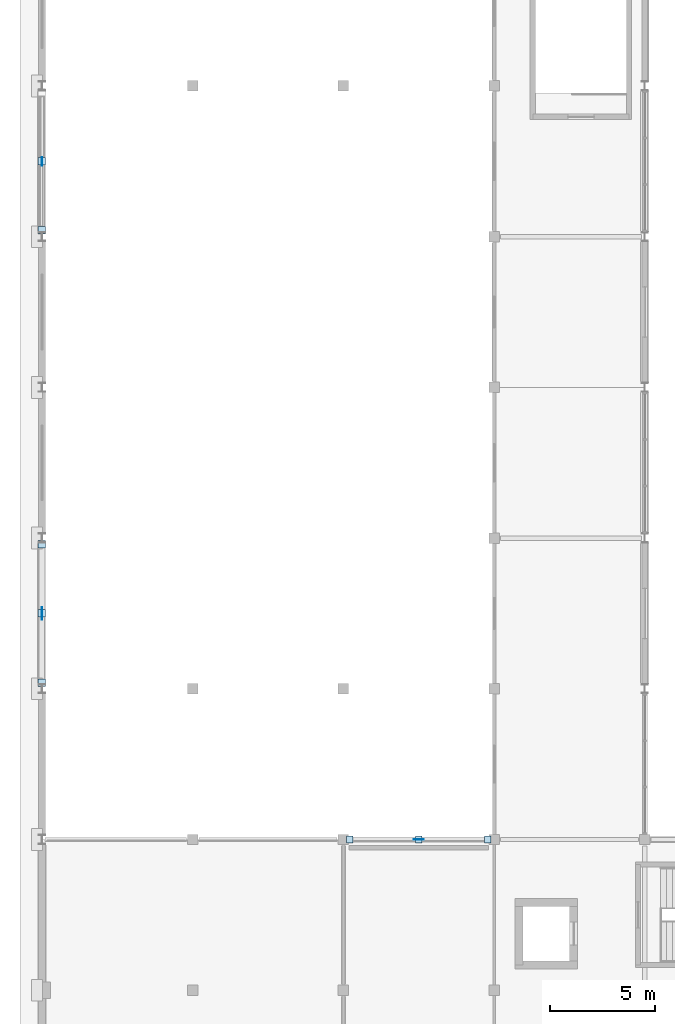
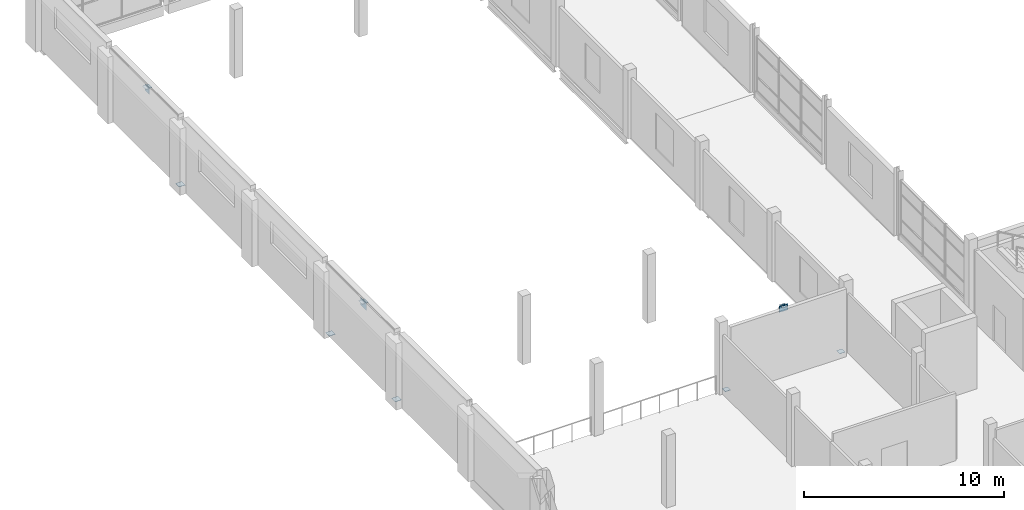
# One storey, part 37 of 71: 11 plates.
"""IFC4 building model written with IfcOpenShell, lengths in metres."""

from ifc_helpers import new_model, si_unit, direction, frame, origin, origin_2d, place, context, subcontext, project, spatial, rectangle, extrude, material, layer, layer_set, type_object, element, save


model = new_model("IFC4")

# Units and contexts
model_context = context("Model", 3, precision=1e-05, world=origin(), true_north=direction((0.0, 1.0)))
body_context = subcontext(model_context, "Body", "Model", "MODEL_VIEW")
ifc_project = project(units=[si_unit("LENGTHUNIT", "METRE"), si_unit("AREAUNIT", "SQUARE_METRE"), si_unit("VOLUMEUNIT", "CUBIC_METRE"), si_unit("PLANEANGLEUNIT", "RADIAN"), si_unit("MASSUNIT", "GRAM", prefix="KILO")], contexts=[model_context])

# Site, building, storey
site_placement = place(None, origin())
site = spatial("IfcSite", under=ifc_project, at=site_placement, CompositionType="ELEMENT")
building_placement = place(site_placement, origin())
building = spatial("IfcBuilding", under=site, at=building_placement, Name="Sardonyx Promenade Sports Hall", CompositionType="ELEMENT")
storey_placement = place(building_placement, frame((0.0, 0.0, 16.0)))
storey = spatial("IfcBuildingStorey", under=building, at=storey_placement, Name="L03", CompositionType="ELEMENT", Elevation=16.0)

# Plates
ifc_material_1 = material(Name="Steel S355JR", Category="steel")
ifc_layer_1 = layer(ifc_material_1, 0.02001953125)
ifc_layer_set_1 = layer_set([ifc_layer_1], Name="Plt_EndCap_EC1")
plate_type_1 = type_object("IfcPlateType", Name="Plt_EndCap_EC1", PredefinedType="USERDEFINED", material=ifc_layer_set_1)
for number, where, z_axis, x_axis, name in (
    (1, (0.0, 36.300048828125, 0.010009765625), (0.0, 0.0, 1.0), (1.0, 0.0, 0.0), "Brace foot end-cap plate EC1 BF1 L03 L1"),
    (2, (0.0, 42.89990234375, 0.010009765625), (0.0, 0.0, 1.0), (1.0, 0.0, 0.0), "Brace foot end-cap plate EC1 BF1 L03 L2"),
    (3, (0.0, 39.60009765625, 3.955078125), (0.0, 0.0, 1.0), (1.0, 0.0, 0.0), "Brace apex cap plate EC1 BF1 L03"),
    (4, (0.0, 57.89990234375, 0.010009765625), (0.0, 0.0, 1.0), (1.0, 0.0, 0.0), "Brace foot end-cap plate EC1 BF2 L03 L1"),
    (5, (0.0, 61.199951171875, 3.955078125), (0.0, 0.0, 1.0), (1.0, 0.0, 0.0), "Brace apex cap plate EC1 BF2 L03"),
):
    element("IfcPlate", number, at=place(storey_placement, frame(where, z_axis=z_axis, x_axis=x_axis)), inside=storey, type_object=plate_type_1, Name=name, ObjectType="END CAP PLATE", PredefinedType="USERDEFINED", context=body_context, shape_type="SweptSolid", body=[
        extrude(rectangle(XDim=0.360107421875, YDim=0.360107421875, at=origin_2d()), origin(), (0.0, 0.0, 1.0), 0.02001953125),
    ])
ifc_material_2 = material(Name="Steel S355JR", Category="steel")
ifc_layer_2 = layer(ifc_material_2, 0.01611328125)
ifc_layer_set_2 = layer_set([ifc_layer_2], Name="Plt_EndCap_EC2")
plate_type_2 = type_object("IfcPlateType", Name="Plt_EndCap_EC2", PredefinedType="USERDEFINED", material=ifc_layer_set_2)
for number, where, z_axis, x_axis, name in (
    (6, (14.699951171875, 28.800048828125, 0.011962890625), (0.0, 0.0, 1.0), (1.0, 0.0, 0.0), "Brace foot end-cap plate EC2 BF5 L03 L1"),
    (7, (21.300048828125, 28.800048828125, 0.011962890625), (0.0, 0.0, 1.0), (1.0, 0.0, 0.0), "Brace foot end-cap plate EC2 BF5 L03 L2"),
    (8, (18.0, 28.800048828125, 3.95703125), (0.0, 0.0, 1.0), (1.0, 0.0, 0.0), "Brace apex cap plate EC2 BF5 L03"),
):
    element("IfcPlate", number, at=place(storey_placement, frame(where, z_axis=z_axis, x_axis=x_axis)), inside=storey, type_object=plate_type_2, Name=name, ObjectType="END CAP PLATE", PredefinedType="USERDEFINED", context=body_context, shape_type="SweptSolid", body=[
        extrude(rectangle(XDim=0.320068359375, YDim=0.320068359375, at=origin_2d()), origin(), (0.0, 0.0, 1.0), 0.01611328125),
    ])
ifc_material_3 = material(Name="Steel S355JR", Category="steel")
ifc_layer_3 = layer(ifc_material_3, 0.02490234375)
ifc_layer_set_3 = layer_set([ifc_layer_3], Name="Plt_Gusset_KN1")
plate_type_3 = type_object("IfcPlateType", Name="Plt_Gusset_KN1", PredefinedType="USERDEFINED", material=ifc_layer_set_3)
plate_1_placement = place(storey_placement, frame((0.0, 39.60009765625, 3.60498046875), z_axis=(0.0, 0.0, 1.0), x_axis=(0.0, 1.0, 0.0)))
element("IfcPlate", 9, at=plate_1_placement, inside=storey, type_object=plate_type_3, Name="Braced-frame apex gusset KN1 BF1 L03", ObjectType="GUSSET PLATE", PredefinedType="USERDEFINED", context=body_context, shape_type="SweptSolid", body=[
    extrude(rectangle(XDim=0.60009765625, YDim=0.02490234375, at=origin_2d()), origin(), (0.0, 0.0, 1.0), 0.449951171875),
])
ifc_material_4 = material(Name="Steel S355JR", Category="steel")
ifc_layer_4 = layer(ifc_material_4, 0.02001953125)
ifc_layer_set_4 = layer_set([ifc_layer_4], Name="Plt_Gusset_KN2")
plate_type_4 = type_object("IfcPlateType", Name="Plt_Gusset_KN2", PredefinedType="USERDEFINED", material=ifc_layer_set_4)
plate_2_placement = place(storey_placement, frame((18.0, 28.800048828125, 3.64013671875), z_axis=(0.0, 0.0, 1.0), x_axis=(1.0, 0.0, 0.0)))
element("IfcPlate", 10, at=plate_2_placement, inside=storey, type_object=plate_type_4, Name="Braced-frame apex gusset KN2 BF5 L03", ObjectType="GUSSET PLATE", PredefinedType="USERDEFINED", context=body_context, shape_type="SweptSolid", body=[
    extrude(rectangle(XDim=0.5, YDim=0.02001953125, at=origin_2d()), origin(), (0.0, 0.0, 1.0), 0.3798828125),
])
ifc_material_5 = material(Name="Steel S355JR", Category="steel")
ifc_layer_5 = layer(ifc_material_5, 0.030029296875)
ifc_layer_set_5 = layer_set([ifc_layer_5], Name="Plt_Gusset_KN4")
plate_type_5 = type_object("IfcPlateType", Name="Plt_Gusset_KN4", PredefinedType="USERDEFINED", material=ifc_layer_set_5)
plate_3_placement = place(storey_placement, frame((0.0, 61.199951171875, 3.630126953125), z_axis=(0.0, 0.0, 1.0), x_axis=(0.0, 1.0, 0.0)))
element("IfcPlate", 11, at=plate_3_placement, inside=storey, type_object=plate_type_5, Name="Braced-frame apex gusset KN4 BF2 L03", ObjectType="GUSSET PLATE", PredefinedType="USERDEFINED", context=body_context, shape_type="SweptSolid", body=[
    extrude(rectangle(XDim=0.39990234375, YDim=0.030029296875, at=origin_2d()), origin(), (0.0, 0.0, 1.0), 0.39990234375),
])

save(model, "model.ifc")
